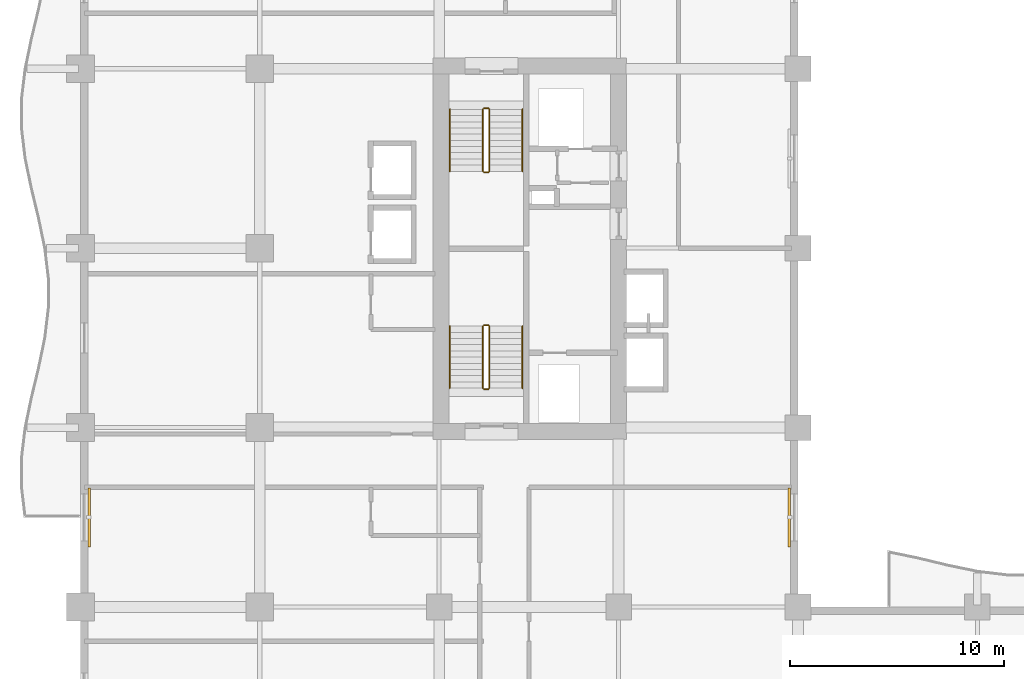
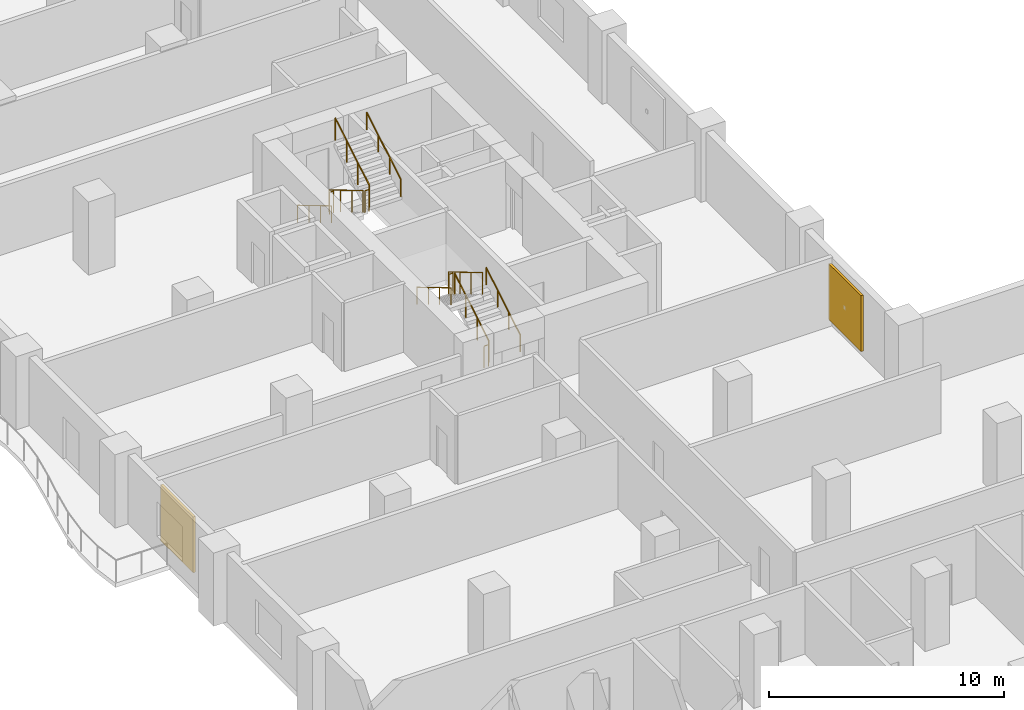
# One storey, part 17 of 18: 12 railings, 2 shading devices.
"""IFC4 building model written with IfcOpenShell, lengths in metres."""

import ifcopenshell
import ifcopenshell.guid

model = None  # the IFC model being written
_history = None  # IfcOwnerHistory: only IFC2X3 demands one
_inside = {}  # id of a spatial element -> (the spatial element, [elements in it])
_under = {}  # id of a project, library or spatial element -> (it, [spatial elements below it])
_declared = {}  # id of a project -> (the project, [libraries it declares])
_typed = {}  # id of a type object -> (the type object, [elements of that type])
_made_of = {}  # id of a material, layer set ... -> (it, [elements and type objects made of it])


def new_model(schema):
    """Start an empty IFC model of exactly this schema.

    Asked for "IFC4X3", IfcOpenShell would pick the latest addendum, in which some entities
    have other attributes; the version numbers below select the first issue.
    IFC2X3 requires an IfcOwnerHistory on every rooted entity: one is made here for all.
    """
    global model, _history
    if schema == "IFC4X3":
        model = ifcopenshell.file(schema_version=(4, 3, 0, 0))
    else:
        model = ifcopenshell.file(schema=schema)
    _inside.clear()
    _under.clear()
    _declared.clear()
    _typed.clear()
    _made_of.clear()
    _history = None
    if model.schema == "IFC2X3":
        org = make("IfcOrganization", Name="unknown")
        user = make(
            "IfcPersonAndOrganization",
            ThePerson=make("IfcPerson", FamilyName="unknown"),
            TheOrganization=org,
        )
        app = make(
            "IfcApplication",
            ApplicationDeveloper=org,
            Version="unknown",
            ApplicationFullName="unknown",
            ApplicationIdentifier="unknown",
        )
        _history = make(
            "IfcOwnerHistory",
            OwningUser=user,
            OwningApplication=app,
            ChangeAction="ADDED",
            CreationDate=0,
        )
    return model


def make(cls, **values):
    """One entity of the class cls with the attributes given. An attribute that is None is left unset."""
    return model.create_entity(
        cls, **{name: value for name, value in values.items() if value is not None}
    )


def rooted(cls, **values):
    """An entity with a GlobalId (a new one), such as an element, a storey or a relation."""
    return make(cls, GlobalId=ifcopenshell.guid.new(), OwnerHistory=_history, **values)


def si_unit(unit_type, name, prefix=None):
    """IfcSIUnit, for example si_unit("LENGTHUNIT", "METRE", prefix="MILLI")."""
    return make("IfcSIUnit", UnitType=unit_type, Prefix=prefix, Name=name)


def assignment(units):
    """IfcUnitAssignment: the units of a project."""
    return None if units is None else make("IfcUnitAssignment", Units=units)


def point(xyz):
    """IfcCartesianPoint."""
    return None if xyz is None else make("IfcCartesianPoint", Coordinates=xyz)


def direction(xyz):
    """IfcDirection."""
    return None if xyz is None else make("IfcDirection", DirectionRatios=xyz)


def frame(location, z_axis=None, x_axis=None):
    """IfcAxis2Placement3D, a coordinate frame: its origin and axes. An axis left out is left unset."""
    return make(
        "IfcAxis2Placement3D",
        Location=point(location),
        Axis=direction(z_axis),
        RefDirection=direction(x_axis),
    )


def frame_2d(location, x_axis=None):
    """IfcAxis2Placement2D, a coordinate frame in the plane: its origin and x axis."""
    return make(
        "IfcAxis2Placement2D", Location=point(location), RefDirection=direction(x_axis)
    )


def origin():
    """The frame at (0, 0, 0) with its axes left unset."""
    return frame((0.0, 0.0, 0.0))


def origin_2d():
    """The frame at (0, 0) in the plane with its x axis left unset."""
    return frame_2d((0.0, 0.0))


def place(relative_to, where):
    """IfcLocalPlacement: puts the frame where relative to a parent placement (None: the world)."""
    return make(
        "IfcLocalPlacement", PlacementRelTo=relative_to, RelativePlacement=where
    )


def context(
    kind, dimensions, precision=None, world=None, true_north=None, identifier=None
):
    """IfcGeometricRepresentationContext, for example the 3D "Model" context."""
    return make(
        "IfcGeometricRepresentationContext",
        ContextIdentifier=identifier,
        ContextType=kind,
        CoordinateSpaceDimension=dimensions,
        Precision=precision,
        WorldCoordinateSystem=world,
        TrueNorth=true_north,
    )


def subcontext(parent, identifier, kind, view, scale=None):
    """IfcGeometricRepresentationSubContext, for example "Body" below "Model"."""
    return make(
        "IfcGeometricRepresentationSubContext",
        ContextIdentifier=identifier,
        ContextType=kind,
        ParentContext=parent,
        TargetScale=scale,
        TargetView=view,
    )


def project(units=None, contexts=None):
    """IfcProject with its units and contexts."""
    return rooted(
        "IfcProject",
        Name="project",
        RepresentationContexts=contexts,
        UnitsInContext=assignment(units),
    )


def spatial(cls, under=None, at=None, **own):
    """A site, building, storey or space (cls), placed at a placement, below another one or the project."""
    s = rooted(cls, ObjectPlacement=at, **own)
    if under is not None:
        _under.setdefault(under.id(), (under, []))[1].append(s)
    return s


def profile(cls, at=None, kind="AREA", **sizes):
    """A parametric profile (cls). Its sizes go by their IFC names, for example OverallWidth=200.0."""
    return make(cls, ProfileType=kind, Position=at, **sizes)


def rectangle(**sizes):
    """IfcRectangleProfileDef."""
    return profile("IfcRectangleProfileDef", **sizes)


def circle(**sizes):
    """IfcCircleProfileDef."""
    return profile("IfcCircleProfileDef", **sizes)


def extrude(swept, where, along, depth):
    """IfcExtrudedAreaSolid: the profile swept, set in the frame where, extruded along a direction by depth."""
    return make(
        "IfcExtrudedAreaSolid",
        SweptArea=swept,
        Position=where,
        ExtrudedDirection=direction(along),
        Depth=depth,
    )


def shape(context_of_items, identifier, shape_type, items):
    """IfcShapeRepresentation: the items that make up one representation, for example the "Body"."""
    return make(
        "IfcShapeRepresentation",
        ContextOfItems=context_of_items,
        RepresentationIdentifier=identifier,
        RepresentationType=shape_type,
        Items=items,
    )


def material(Name=None, Category=None):
    """IfcMaterial."""
    return make("IfcMaterial", Name=Name, Category=Category)


def layer(
    of_material, thickness, ventilated=None, Name=None, Category=None, Priority=None
):
    """IfcMaterialLayer: one layer of a wall or slab, of a material (None: an air gap)."""
    return make(
        "IfcMaterialLayer",
        Material=of_material,
        LayerThickness=thickness,
        IsVentilated=ventilated,
        Name=Name,
        Category=Category,
        Priority=Priority,
    )


def layer_set(layers, Name=None):
    """IfcMaterialLayerSet."""
    return make("IfcMaterialLayerSet", MaterialLayers=layers, LayerSetName=Name)


def made_of(thing, what):
    """Note that an element or type object is made of a material, layer set ...; save() writes the relation."""
    if what is not None:
        _made_of.setdefault(what.id(), (what, []))[1].append(thing)
    return thing


def type_object(cls, material=None, **own):
    """A type object (cls), such as IfcWallType, which elements share."""
    return made_of(rooted(cls, **own), material)


def element(
    cls,
    number,
    at=None,
    inside=None,
    cuts=None,
    type_object=None,
    material=None,
    context=None,
    identifier="Body",
    shape_type=None,
    held_by="IfcProductDefinitionShape",
    body=None,
    shapes=None,
    **own,
):
    """One element of the class cls, such as IfcWall. Its Tag is "e" and its number.

    at: its placement. inside: the storey or other place that contains it. cuts: it is an
    opening in that element (IfcRelVoidsElement). A single representation is given by context,
    identifier, shape_type and body (its items); several are given by shapes. held_by: the class
    of the entity that holds the representations. save() writes the other relations.
    """
    e = rooted(cls, Tag="e%d" % number, ObjectPlacement=at, **own)
    if body is not None:
        shapes = [shape(context, identifier, shape_type, body)]
    if shapes is not None:
        e.Representation = make(held_by, Representations=shapes)
    if inside is not None:
        _inside.setdefault(inside.id(), (inside, []))[1].append(e)
    if cuts is not None:
        rooted(
            "IfcRelVoidsElement", RelatingBuildingElement=cuts, RelatedOpeningElement=e
        )
    if type_object is not None:
        _typed.setdefault(type_object.id(), (type_object, []))[1].append(e)
    return made_of(e, material)


def aggregate(whole, parts):
    """IfcRelAggregates: a whole, such as a stair, and the parts it consists of."""
    return rooted("IfcRelAggregates", RelatingObject=whole, RelatedObjects=parts)


def save(model, path):
    """Write the relations noted so far, then the file.

    IfcRelAggregates (storeys below a building ...), IfcRelContainedInSpatialStructure (elements
    in a storey), IfcRelDefinesByType, IfcRelAssociatesMaterial and IfcRelDeclares: one each for
    every whole, place, type object, material and project.
    """
    for whole, parts in _under.values():
        aggregate(whole, parts)
    for where, things in _inside.values():
        rooted(
            "IfcRelContainedInSpatialStructure",
            RelatedElements=things,
            RelatingStructure=where,
        )
    for kind, things in _typed.values():
        rooted("IfcRelDefinesByType", RelatedObjects=things, RelatingType=kind)
    for what, things in _made_of.values():
        rooted("IfcRelAssociatesMaterial", RelatedObjects=things, RelatingMaterial=what)
    for by, libraries in _declared.values():
        rooted("IfcRelDeclares", RelatingContext=by, RelatedDefinitions=libraries)
    model.write(path)


model = new_model("IFC4")

# Units and contexts
model_context = context("Model", 3, precision=1e-05, world=origin(), true_north=direction((0.0, 1.0)))
body_context = subcontext(model_context, "Body", "Model", "MODEL_VIEW")
ifc_project = project(units=[si_unit("LENGTHUNIT", "METRE"), si_unit("AREAUNIT", "SQUARE_METRE"), si_unit("VOLUMEUNIT", "CUBIC_METRE"), si_unit("PLANEANGLEUNIT", "RADIAN"), si_unit("MASSUNIT", "GRAM", prefix="KILO")], contexts=[model_context])

# Site, building, storey
site_placement = place(None, origin())
site = spatial("IfcSite", under=ifc_project, at=site_placement, CompositionType="ELEMENT")
building_placement = place(site_placement, origin())
building = spatial("IfcBuilding", under=site, at=building_placement, Name="Koriwani Terraces Tower", CompositionType="ELEMENT")
storey_placement = place(building_placement, frame((0.0, 0.0, 107.60009765625)))
storey = spatial("IfcBuildingStorey", under=building, at=storey_placement, Name="L25", CompositionType="ELEMENT", Elevation=107.60009765625)

# Railings
ifc_material_1 = material(Name="Steel ASTM A572 Grade 50", Category="steel")
railing_type_1 = type_object("IfcRailingType", Name="GUARD_STAIR_WELL_1120", PredefinedType="GUARDRAIL", material=ifc_material_1)
railing_1_placement = place(storey_placement, frame((19.14990234375, 43.85009765625, 0.172607421875)))
element("IfcRailing", 1, at=railing_1_placement, inside=storey, type_object=railing_type_1, Name="L25 ST-W1 stair guard 1", PredefinedType="GUARDRAIL", context=body_context, shape_type="SweptSolid", body=[
    extrude(circle(Radius=0.02392578125, at=origin_2d()), frame((0.0, 0.0, 1.1259765625), z_axis=(0.0, 0.859141464434, 0.511738159696), x_axis=(-1.0, 0.0, 0.0)), (0.0, 0.0, 1.0), 3.375244140625),
    extrude(circle(Radius=0.02099609375, at=origin_2d()), origin(), (0.0, 0.0, 1.0), 1.101806640625),
    extrude(circle(Radius=0.02099609375, at=origin_2d()), frame((0.0, 0.966552734375, 0.57568359375)), (0.0, 0.0, 1.0), 1.101806640625),
    extrude(circle(Radius=0.02099609375, at=origin_2d()), frame((0.0, 1.933349609375, 1.151611328125)), (0.0, 0.0, 1.0), 1.101806640625),
    extrude(circle(Radius=0.02099609375, at=origin_2d()), frame((0.0, 2.89990234375, 1.727294921875)), (0.0, 0.0, 1.0), 1.101806640625),
])
railing_2_placement = place(storey_placement, frame((19.10009765625, 46.800048828125, 1.89990234375)))
element("IfcRailing", 2, at=railing_2_placement, inside=storey, type_object=railing_type_1, Name="L25 ST-W1 stair guard 2", PredefinedType="GUARDRAIL", context=body_context, shape_type="SweptSolid", body=[
    extrude(circle(Radius=0.02392578125, at=origin_2d()), frame((0.0, 0.0, 1.1259765625), z_axis=(-1.0, 0.0, 0.0), x_axis=(0.0, -1.0, 0.0)), (0.0, 0.0, 1.0), 0.2001953125),
    extrude(circle(Radius=0.02099609375, at=origin_2d()), origin(), (0.0, 0.0, 1.0), 1.101806640625),
    extrude(circle(Radius=0.02099609375, at=origin_2d()), frame((-0.2001953125, 0.0, 0.0)), (0.0, 0.0, 1.0), 1.101806640625),
])
railing_3_placement = place(storey_placement, frame((18.85009765625, 46.75, 2.072509765625)))
element("IfcRailing", 3, at=railing_3_placement, inside=storey, type_object=railing_type_1, Name="L25 ST-W1 stair guard 3", PredefinedType="GUARDRAIL", context=body_context, shape_type="SweptSolid", body=[
    extrude(circle(Radius=0.02392578125, at=origin_2d()), frame((0.0, 0.0, 1.1259765625), z_axis=(0.0, -0.859141464434, 0.511738159696), x_axis=(1.0, 0.0, 0.0)), (0.0, 0.0, 1.0), 3.375244140625),
    extrude(circle(Radius=0.02099609375, at=origin_2d()), origin(), (0.0, 0.0, 1.0), 1.101806640625),
    extrude(circle(Radius=0.02099609375, at=origin_2d()), frame((0.0, -0.966552734375, 0.57568359375)), (0.0, 0.0, 1.0), 1.101806640625),
    extrude(circle(Radius=0.02099609375, at=origin_2d()), frame((0.0, -1.933349609375, 1.151611328125)), (0.0, 0.0, 1.0), 1.101806640625),
    extrude(circle(Radius=0.02099609375, at=origin_2d()), frame((0.0, -2.89990234375, 1.727294921875)), (0.0, 0.0, 1.0), 1.101806640625),
])
railing_4_placement = place(storey_placement, frame((19.10009765625, 43.800048828125, 0.0)))
element("IfcRailing", 4, at=railing_4_placement, inside=storey, type_object=railing_type_1, Name="L25 ST-W1 stair guard 4", PredefinedType="GUARDRAIL", context=body_context, shape_type="SweptSolid", body=[
    extrude(circle(Radius=0.02392578125, at=origin_2d()), frame((0.0, 0.0, 1.1259765625), z_axis=(-1.0, 0.0, 0.0), x_axis=(0.0, -1.0, 0.0)), (0.0, 0.0, 1.0), 0.2001953125),
    extrude(circle(Radius=0.02099609375, at=origin_2d()), origin(), (0.0, 0.0, 1.0), 1.101806640625),
    extrude(circle(Radius=0.02099609375, at=origin_2d()), frame((-0.2001953125, 0.0, 0.0)), (0.0, 0.0, 1.0), 1.101806640625),
])
railing_5_placement = place(storey_placement, frame((18.85009765625, 56.89990234375, 0.172607421875)))
element("IfcRailing", 5, at=railing_5_placement, inside=storey, type_object=railing_type_1, Name="L25 ST-W2 stair guard 1", PredefinedType="GUARDRAIL", context=body_context, shape_type="SweptSolid", body=[
    extrude(circle(Radius=0.02392578125, at=origin_2d()), frame((0.0, 0.0, 1.1259765625), z_axis=(0.0, -0.859141464434, 0.511738159696), x_axis=(1.0, 0.0, 0.0)), (0.0, 0.0, 1.0), 3.375244140625),
    extrude(circle(Radius=0.02099609375, at=origin_2d()), origin(), (0.0, 0.0, 1.0), 1.101806640625),
    extrude(circle(Radius=0.02099609375, at=origin_2d()), frame((0.0, -0.966552734375, 0.57568359375)), (0.0, 0.0, 1.0), 1.101806640625),
    extrude(circle(Radius=0.02099609375, at=origin_2d()), frame((0.0, -1.933349609375, 1.151611328125)), (0.0, 0.0, 1.0), 1.101806640625),
    extrude(circle(Radius=0.02099609375, at=origin_2d()), frame((0.0, -2.89990234375, 1.727294921875)), (0.0, 0.0, 1.0), 1.101806640625),
])
railing_6_placement = place(storey_placement, frame((18.89990234375, 53.949951171875, 1.89990234375)))
element("IfcRailing", 6, at=railing_6_placement, inside=storey, type_object=railing_type_1, Name="L25 ST-W2 stair guard 2", PredefinedType="GUARDRAIL", context=body_context, shape_type="SweptSolid", body=[
    extrude(circle(Radius=0.02392578125, at=origin_2d()), frame((0.0, 0.0, 1.1259765625), z_axis=(1.0, 0.0, 0.0), x_axis=(0.0, 1.0, 0.0)), (0.0, 0.0, 1.0), 0.2001953125),
    extrude(circle(Radius=0.02099609375, at=origin_2d()), origin(), (0.0, 0.0, 1.0), 1.101806640625),
    extrude(circle(Radius=0.02099609375, at=origin_2d()), frame((0.2001953125, 0.0, 0.0)), (0.0, 0.0, 1.0), 1.101806640625),
])
railing_7_placement = place(storey_placement, frame((19.14990234375, 54.0, 2.072509765625)))
element("IfcRailing", 7, at=railing_7_placement, inside=storey, type_object=railing_type_1, Name="L25 ST-W2 stair guard 3", PredefinedType="GUARDRAIL", context=body_context, shape_type="SweptSolid", body=[
    extrude(circle(Radius=0.02392578125, at=origin_2d()), frame((0.0, 0.0, 1.1259765625), z_axis=(0.0, 0.859141464434, 0.511738159696), x_axis=(-1.0, 0.0, 0.0)), (0.0, 0.0, 1.0), 3.375244140625),
    extrude(circle(Radius=0.02099609375, at=origin_2d()), origin(), (0.0, 0.0, 1.0), 1.101806640625),
    extrude(circle(Radius=0.02099609375, at=origin_2d()), frame((0.0, 0.966552734375, 0.57568359375)), (0.0, 0.0, 1.0), 1.101806640625),
    extrude(circle(Radius=0.02099609375, at=origin_2d()), frame((0.0, 1.933349609375, 1.151611328125)), (0.0, 0.0, 1.0), 1.101806640625),
    extrude(circle(Radius=0.02099609375, at=origin_2d()), frame((0.0, 2.89990234375, 1.727294921875)), (0.0, 0.0, 1.0), 1.101806640625),
])
railing_8_placement = place(storey_placement, frame((18.89990234375, 56.949951171875, 0.0)))
element("IfcRailing", 8, at=railing_8_placement, inside=storey, type_object=railing_type_1, Name="L25 ST-W2 stair guard 4", PredefinedType="GUARDRAIL", context=body_context, shape_type="SweptSolid", body=[
    extrude(circle(Radius=0.02392578125, at=origin_2d()), frame((0.0, 0.0, 1.1259765625), z_axis=(1.0, 0.0, 0.0), x_axis=(0.0, 1.0, 0.0)), (0.0, 0.0, 1.0), 0.2001953125),
    extrude(circle(Radius=0.02099609375, at=origin_2d()), origin(), (0.0, 0.0, 1.0), 1.101806640625),
    extrude(circle(Radius=0.02099609375, at=origin_2d()), frame((0.2001953125, 0.0, 0.0)), (0.0, 0.0, 1.0), 1.101806640625),
])
railing_type_2 = type_object("IfcRailingType", Name="HANDRAIL_STAIR_920", PredefinedType="HANDRAIL", material=ifc_material_1)
railing_9_placement = place(storey_placement, frame((20.699951171875, 43.85009765625, 0.172607421875)))
element("IfcRailing", 9, at=railing_9_placement, inside=storey, type_object=railing_type_2, Name="L25 ST-W1 stair handrail 1", PredefinedType="HANDRAIL", context=body_context, shape_type="SweptSolid", body=[
    extrude(circle(Radius=0.02392578125, at=origin_2d()), frame((0.0, 0.0, 0.8759765625), z_axis=(0.0, 0.859141464434, 0.511738159696), x_axis=(-1.0, 0.0, 0.0)), (0.0, 0.0, 1.0), 3.375244140625),
    extrude(circle(Radius=0.02099609375, at=origin_2d()), origin(), (0.0, 0.0, 1.0), 0.851806640625),
    extrude(circle(Radius=0.02099609375, at=origin_2d()), frame((0.0, 0.966552734375, 0.57568359375)), (0.0, 0.0, 1.0), 0.851806640625),
    extrude(circle(Radius=0.02099609375, at=origin_2d()), frame((0.0, 1.933349609375, 1.151611328125)), (0.0, 0.0, 1.0), 0.851806640625),
    extrude(circle(Radius=0.02099609375, at=origin_2d()), frame((0.0, 2.89990234375, 1.727294921875)), (0.0, 0.0, 1.0), 0.851806640625),
])
for number, where, name in (
    (10, (17.300048828125, 46.75, 2.072509765625), "L25 ST-W1 stair handrail 2"),
    (11, (17.300048828125, 56.89990234375, 0.172607421875), "L25 ST-W2 stair handrail 1"),
):
    element("IfcRailing", number, at=place(storey_placement, frame(where)), inside=storey, type_object=railing_type_2, Name=name, PredefinedType="HANDRAIL", context=body_context, shape_type="SweptSolid", body=[
        extrude(circle(Radius=0.02392578125, at=origin_2d()), frame((0.0, 0.0, 0.8759765625), z_axis=(0.0, -0.859141464434, 0.511738159696), x_axis=(1.0, 0.0, 0.0)), (0.0, 0.0, 1.0), 3.375244140625),
        extrude(circle(Radius=0.02099609375, at=origin_2d()), origin(), (0.0, 0.0, 1.0), 0.851806640625),
        extrude(circle(Radius=0.02099609375, at=origin_2d()), frame((0.0, -0.966552734375, 0.57568359375)), (0.0, 0.0, 1.0), 0.851806640625),
        extrude(circle(Radius=0.02099609375, at=origin_2d()), frame((0.0, -1.933349609375, 1.151611328125)), (0.0, 0.0, 1.0), 0.851806640625),
        extrude(circle(Radius=0.02099609375, at=origin_2d()), frame((0.0, -2.89990234375, 1.727294921875)), (0.0, 0.0, 1.0), 0.851806640625),
    ])
railing_10_placement = place(storey_placement, frame((20.699951171875, 54.0, 2.072509765625)))
element("IfcRailing", 12, at=railing_10_placement, inside=storey, type_object=railing_type_2, Name="L25 ST-W2 stair handrail 2", PredefinedType="HANDRAIL", context=body_context, shape_type="SweptSolid", body=[
    extrude(circle(Radius=0.02392578125, at=origin_2d()), frame((0.0, 0.0, 0.8759765625), z_axis=(0.0, 0.859141464434, 0.511738159696), x_axis=(-1.0, 0.0, 0.0)), (0.0, 0.0, 1.0), 3.375244140625),
    extrude(circle(Radius=0.02099609375, at=origin_2d()), origin(), (0.0, 0.0, 1.0), 0.851806640625),
    extrude(circle(Radius=0.02099609375, at=origin_2d()), frame((0.0, 0.966552734375, 0.57568359375)), (0.0, 0.0, 1.0), 0.851806640625),
    extrude(circle(Radius=0.02099609375, at=origin_2d()), frame((0.0, 1.933349609375, 1.151611328125)), (0.0, 0.0, 1.0), 0.851806640625),
    extrude(circle(Radius=0.02099609375, at=origin_2d()), frame((0.0, 2.89990234375, 1.727294921875)), (0.0, 0.0, 1.0), 0.851806640625),
])

# Shading devices
ifc_material_2 = material(Name="Extruded Terracotta Clay", Category="masonry")
ifc_layer = layer(ifc_material_2, 0.1201171875, Name="Extruded Terracotta Clay")
ifc_layer_set = layer_set([ifc_layer], Name="Extruded Terracotta Clay")
shading_device_type = type_object("IfcShadingDeviceType", Name="TERRACOTTA_BAGUETTE_SCREEN_2800", PredefinedType="USERDEFINED", material=ifc_layer_set)
for number, where, z_axis, x_axis, name in (
    (13, (0.405029296875, 37.800048828125, 0.324951171875), (0.0, 0.0, 1.0), (0.0, 1.0, 0.0), "L25 Extruded Terracotta Baguette Screen (W-12)"),
    (14, (33.195068359375, 37.800048828125, 0.324951171875), (0.0, 0.0, 1.0), (0.0, -1.0, 0.0), "L25 Extruded Terracotta Baguette Screen (NW_IN-2)"),
):
    element("IfcShadingDevice", number, at=place(storey_placement, frame(where, z_axis=z_axis, x_axis=x_axis)), inside=storey, type_object=shading_device_type, Name=name, ObjectType="BAGUETTE", PredefinedType="USERDEFINED", context=body_context, shape_type="SweptSolid", body=[
        extrude(rectangle(XDim=2.760009765625, YDim=0.1201171875, at=origin_2d()), origin(), (0.0, 0.0, 1.0), 2.89990234375),
    ])

save(model, "model.ifc")
